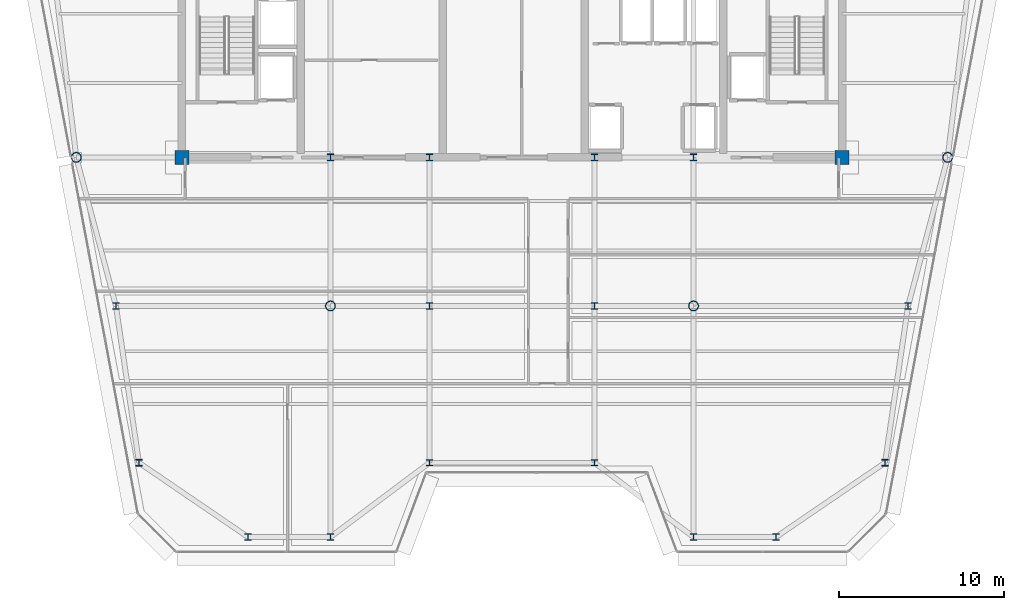
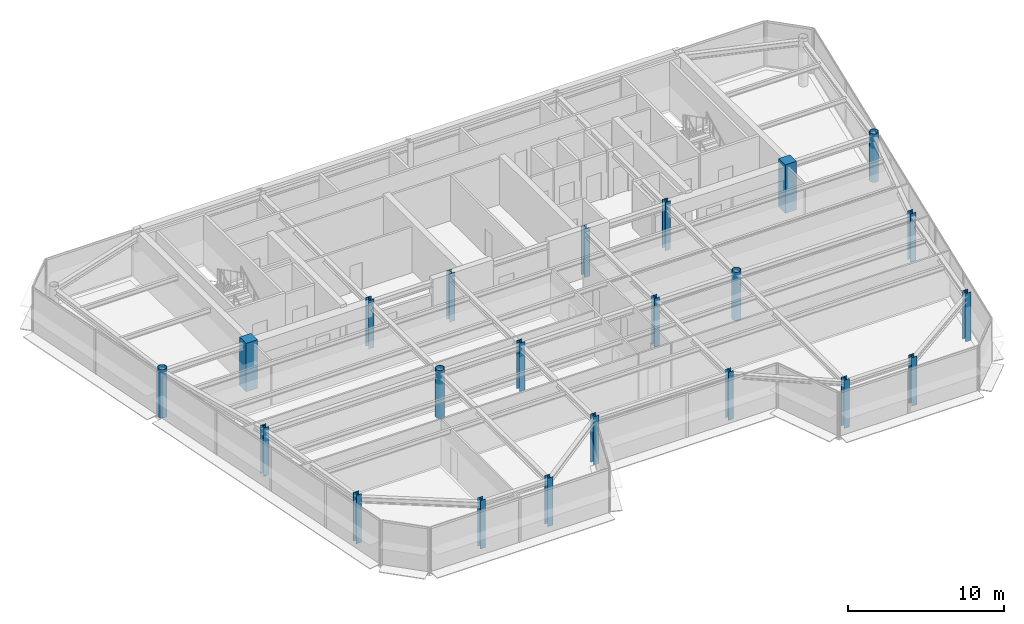
# One storey, part 1 of 20: 22 columns.
"""IFC4 building model written with IfcOpenShell, lengths in metres."""

from ifc_helpers import new_model, si_unit, direction, frame, origin, origin_2d, place, context, subcontext, project, spatial, rectangle, hollow_circle, i_section, extrude, source, transform, mapped, material, material_profile, profile_set, type_object, element, save


model = new_model("IFC4")

# Units and contexts
model_context = context("Model", 3, precision=1e-05, world=origin(), true_north=direction((0.0, 1.0)))
body_context = subcontext(model_context, "Body", "Model", "MODEL_VIEW")
ifc_project = project(units=[si_unit("LENGTHUNIT", "METRE"), si_unit("AREAUNIT", "SQUARE_METRE"), si_unit("VOLUMEUNIT", "CUBIC_METRE"), si_unit("PLANEANGLEUNIT", "RADIAN"), si_unit("MASSUNIT", "GRAM", prefix="KILO")], contexts=[model_context])

# Site, building, storey
site_placement = place(None, origin())
site = spatial("IfcSite", under=ifc_project, at=site_placement, CompositionType="ELEMENT")
building_placement = place(site_placement, origin())
building = spatial("IfcBuilding", under=site, at=building_placement, Name="Vaeldorn Concourse Tower", CompositionType="ELEMENT")
storey_placement = place(building_placement, frame((0.0, 0.0, 295.39990234375)))
storey = spatial("IfcBuildingStorey", under=building, at=storey_placement, Name="L76", CompositionType="ELEMENT", Elevation=295.39990234375)

# Columns
ifc_material_1 = material(Name="Concrete C50/60", Category="concrete")
ifc_material_profile_1 = material_profile(ifc_material_1, rectangle(XDim=0.85009765625, YDim=0.85009765625, at=origin_2d()), Name="RC 850x850")
ifc_profile_set_1 = profile_set([ifc_material_profile_1], Name="Concrete C50/60")
column_type_1 = type_object("IfcColumnType", Name="COL-RC850", PredefinedType="COLUMN", material=ifc_profile_set_1)
shared_shape_1 = source(origin(), body_context, "Body", "SweptSolid", [
    extrude(rectangle(XDim=0.85009765625, YDim=0.85009765625, at=origin_2d()), origin(), (0.0, 0.0, 1.0), 3.800048828125),
])
for number, where, z_axis, x_axis, name in (
    (1, (14.0, 36.5, 0.0), (0.0, 0.0, 1.0), (1.0, 0.0, 0.0), "Column C-FC1 L76"),
    (2, (54.0, 36.5, 0.0), (0.0, 0.0, 1.0), (1.0, 0.0, 0.0), "Column C-FC6 L76"),
):
    element("IfcColumn", number, at=place(storey_placement, frame(where, z_axis=z_axis, x_axis=x_axis)), inside=storey, type_object=column_type_1, Name=name, PredefinedType="COLUMN", context=body_context, shape_type="MappedRepresentation", body=[
        mapped(shared_shape_1, transform((0.0, 0.0, 0.0), scale=1.0)),
    ])
ifc_material_2 = material(Name="Steel S355", Category="steel")
ifc_material_profile_2 = material_profile(ifc_material_2, i_section(OverallWidth=0.406005859375, OverallDepth=0.416015625, WebThickness=0.02978515625, FlangeThickness=0.0419921875, FilletRadius=0.014892578125, at=origin_2d()), Name="HD 400x382")
ifc_profile_set_2 = profile_set([ifc_material_profile_2], Name="Steel S355")
column_type_2 = type_object("IfcColumnType", Name="COL-HD382", PredefinedType="COLUMN", material=ifc_profile_set_2)
shared_shape_2 = source(origin(), body_context, "Body", "SweptSolid", [
    extrude(i_section(OverallWidth=0.406005859375, OverallDepth=0.416015625, WebThickness=0.02978515625, FlangeThickness=0.0419921875, FilletRadius=0.014892578125, at=origin_2d()), origin(), (0.0, 0.0, 1.0), 3.800048828125),
])
for number, where, z_axis, x_axis, name in (
    (3, (23.0, 36.5, 0.0), (0.0, 0.0, 1.0), (1.0, 0.0, 0.0), "Column C-FC2 L76"),
    (4, (29.0, 36.5, 0.0), (0.0, 0.0, 1.0), (1.0, 0.0, 0.0), "Column C-FC3 L76"),
    (5, (39.0, 36.5, 0.0), (0.0, 0.0, 1.0), (1.0, 0.0, 0.0), "Column C-FC4 L76"),
    (6, (45.0, 36.5, 0.0), (0.0, 0.0, 1.0), (1.0, 0.0, 0.0), "Column C-FC5 L76"),
):
    element("IfcColumn", number, at=place(storey_placement, frame(where, z_axis=z_axis, x_axis=x_axis)), inside=storey, type_object=column_type_2, Name=name, PredefinedType="COLUMN", context=body_context, shape_type="MappedRepresentation", body=[
        mapped(shared_shape_2, transform((0.0, 0.0, 0.0), scale=1.0)),
    ])
ifc_material_profile_3 = material_profile(ifc_material_2, hollow_circle(Radius=0.304931640625, WallThickness=0.030029296875, at=origin_2d()), Name="CHS 610x30")
ifc_profile_set_3 = profile_set([ifc_material_profile_3], Name="Steel S355")
column_type_3 = type_object("IfcColumnType", Name="COL-CHS610", PredefinedType="COLUMN", material=ifc_profile_set_3)
shared_shape_3 = source(origin(), body_context, "Body", "SweptSolid", [
    extrude(hollow_circle(Radius=0.304931640625, WallThickness=0.030029296875, at=origin_2d()), origin(), (0.0, 0.0, 1.0), 3.800048828125),
])
for number, where, z_axis, x_axis, name in (
    (7, (7.60009765625, 36.5, 0.0), (0.0, 0.0, 1.0), (1.0, 0.0, 0.0), "Column C-NW2 L76"),
    (8, (60.39990234375, 36.5, 0.0), (0.0, 0.0, 1.0), (1.0, 0.0, 0.0), "Column C-NE2 L76"),
    (9, (23.0, 27.5, 0.0), (0.0, 0.0, 1.0), (1.0, 0.0, 0.0), "Column C-TW1 L76"),
    (10, (45.0, 27.5, 0.0), (0.0, 0.0, 1.0), (1.0, 0.0, 0.0), "Column C-TW4 L76"),
):
    element("IfcColumn", number, at=place(storey_placement, frame(where, z_axis=z_axis, x_axis=x_axis)), inside=storey, type_object=column_type_3, Name=name, PredefinedType="COLUMN", context=body_context, shape_type="MappedRepresentation", body=[
        mapped(shared_shape_3, transform((0.0, 0.0, 0.0), scale=1.0)),
    ])
ifc_material_profile_4 = material_profile(ifc_material_2, i_section(OverallWidth=0.40087890625, OverallDepth=0.39892578125, WebThickness=0.02490234375, FlangeThickness=0.034912109375, FilletRadius=0.014892578125, at=origin_2d()), Name="HD 400x314")
ifc_profile_set_4 = profile_set([ifc_material_profile_4], Name="Steel S355")
column_type_4 = type_object("IfcColumnType", Name="COL-HD314F", PredefinedType="COLUMN", material=ifc_profile_set_4)
shared_shape_4 = source(origin(), body_context, "Body", "SweptSolid", [
    extrude(i_section(OverallWidth=0.40087890625, OverallDepth=0.39892578125, WebThickness=0.02490234375, FlangeThickness=0.034912109375, FilletRadius=0.014892578125, at=origin_2d()), origin(), (0.0, 0.0, 1.0), 3.800048828125),
])
for number, where, z_axis, x_axis, name in (
    (11, (10.0, 27.5, 0.0), (0.0, 0.0, 1.0), (1.0, 0.0, 0.0), "Column C-FLW1 L76"),
    (12, (11.39990234375, 18.0, 0.0), (0.0, 0.0, 1.0), (1.0, 0.0, 0.0), "Column C-FLW2 L76"),
    (13, (58.0, 27.5, 0.0), (0.0, 0.0, 1.0), (1.0, 0.0, 0.0), "Column C-FLE1 L76"),
    (14, (56.60009765625, 18.0, 0.0), (0.0, 0.0, 1.0), (1.0, 0.0, 0.0), "Column C-FLE2 L76"),
):
    element("IfcColumn", number, at=place(storey_placement, frame(where, z_axis=z_axis, x_axis=x_axis)), inside=storey, type_object=column_type_4, Name=name, PredefinedType="COLUMN", context=body_context, shape_type="MappedRepresentation", body=[
        mapped(shared_shape_4, transform((0.0, 0.0, 0.0), scale=1.0)),
    ])
ifc_material_profile_5 = material_profile(ifc_material_2, i_section(OverallWidth=0.39794921875, OverallDepth=0.386962890625, WebThickness=0.0205078125, FlangeThickness=0.029052734375, FilletRadius=0.014892578125, at=origin_2d()), Name="HD 400x262")
ifc_profile_set_5 = profile_set([ifc_material_profile_5], Name="Steel S355")
column_type_5 = type_object("IfcColumnType", Name="COL-HD262T", PredefinedType="COLUMN", material=ifc_profile_set_5)
shared_shape_5 = source(origin(), body_context, "Body", "SweptSolid", [
    extrude(i_section(OverallWidth=0.39794921875, OverallDepth=0.386962890625, WebThickness=0.0205078125, FlangeThickness=0.029052734375, FilletRadius=0.014892578125, at=origin_2d()), origin(), (0.0, 0.0, 1.0), 3.800048828125),
])
for number, where, z_axis, x_axis, name in (
    (15, (29.0, 27.5, 0.0), (0.0, 0.0, 1.0), (1.0, 0.0, 0.0), "Column C-TW2 L76"),
    (16, (39.0, 27.5, 0.0), (0.0, 0.0, 1.0), (1.0, 0.0, 0.0), "Column C-TW3 L76"),
    (17, (18.0, 13.5, 0.0), (0.0, 0.0, 1.0), (1.0, 0.0, 0.0), "Column C-SF1 L76"),
    (18, (23.0, 13.5, 0.0), (0.0, 0.0, 1.0), (1.0, 0.0, 0.0), "Column C-SF2 L76"),
    (19, (29.0, 18.0, 0.0), (0.0, 0.0, 1.0), (1.0, 0.0, 0.0), "Column C-SF3 L76"),
    (20, (39.0, 18.0, 0.0), (0.0, 0.0, 1.0), (1.0, 0.0, 0.0), "Column C-SF4 L76"),
    (21, (45.0, 13.5, 0.0), (0.0, 0.0, 1.0), (1.0, 0.0, 0.0), "Column C-SF5 L76"),
    (22, (50.0, 13.5, 0.0), (0.0, 0.0, 1.0), (1.0, 0.0, 0.0), "Column C-SF6 L76"),
):
    element("IfcColumn", number, at=place(storey_placement, frame(where, z_axis=z_axis, x_axis=x_axis)), inside=storey, type_object=column_type_5, Name=name, PredefinedType="COLUMN", context=body_context, shape_type="MappedRepresentation", body=[
        mapped(shared_shape_5, transform((0.0, 0.0, 0.0), scale=1.0)),
    ])

save(model, "model.ifc")
